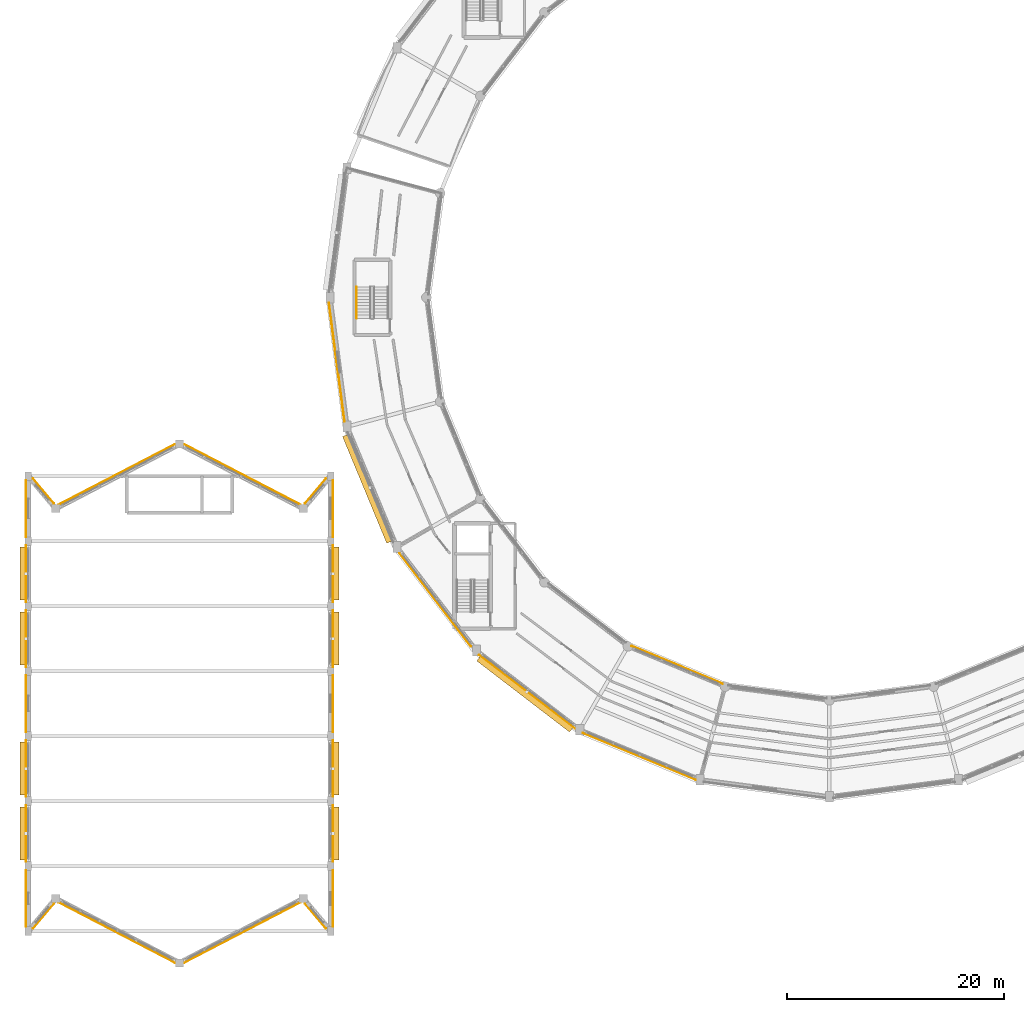
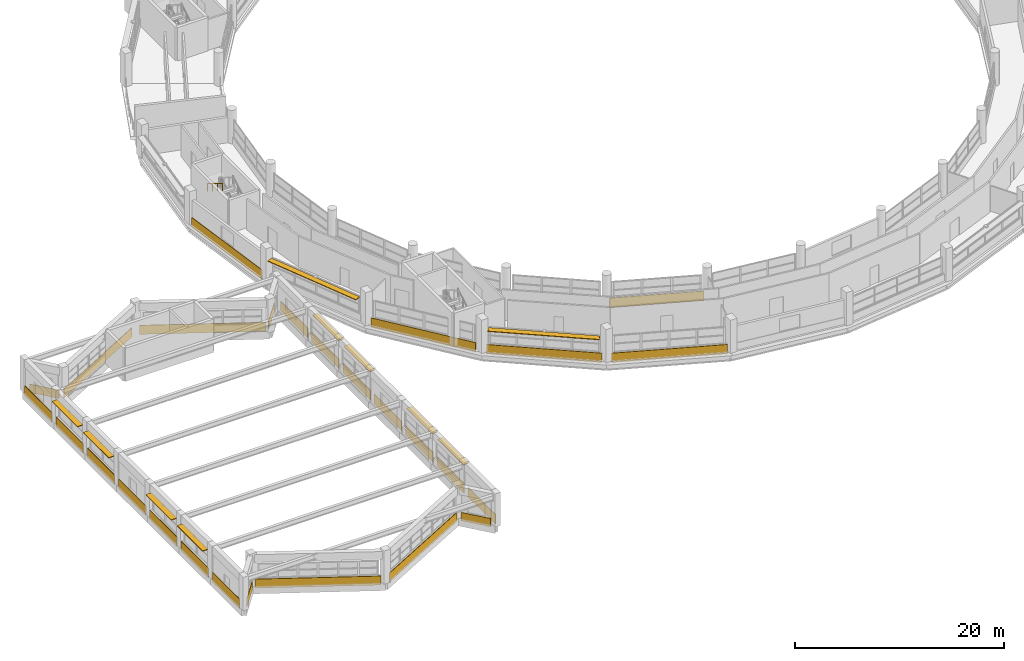
# One storey, part 101 of 108: 27 coverings, 10 shading devices, 1 railing.
"""IFC4 building model written with IfcOpenShell, lengths in metres."""

from ifc_helpers import new_model, si_unit, direction, frame, frame_2d, origin, origin_2d, place, context, subcontext, project, spatial, rectangle, circle, extrude, material, layer, layer_set, type_object, element, save


model = new_model("IFC4")

# Units and contexts
model_context = context("Model", 3, precision=1e-05, world=origin(), true_north=direction((0.0, 1.0)))
body_context = subcontext(model_context, "Body", "Model", "MODEL_VIEW")
ifc_project = project(units=[si_unit("LENGTHUNIT", "METRE"), si_unit("AREAUNIT", "SQUARE_METRE"), si_unit("VOLUMEUNIT", "CUBIC_METRE"), si_unit("PLANEANGLEUNIT", "RADIAN"), si_unit("MASSUNIT", "GRAM", prefix="KILO")], contexts=[model_context])

# Site, building, storey
site_placement = place(None, origin())
site = spatial("IfcSite", under=ifc_project, at=site_placement, CompositionType="ELEMENT")
building_placement = place(site_placement, origin())
building = spatial("IfcBuilding", under=site, at=building_placement, Name="Vespera Passage Community Centre", CompositionType="ELEMENT")
storey_placement = place(building_placement, frame((0.0, 0.0, 12.60009765625)))
storey = spatial("IfcBuildingStorey", under=building, at=storey_placement, Name="L03", CompositionType="ELEMENT", Elevation=12.60009765625)

# Coverings
ifc_material_1 = material(Name="Precast concrete f'c 40 MPa", Category="concrete")
ifc_layer = layer(ifc_material_1, 0.06005859375)
ifc_layer_set = layer_set([ifc_layer], Name="Precast concrete f'c 40 MPa")
covering_type = type_object("IfcCoveringType", Name="COV-CLAD-60E", PredefinedType="CLADDING", material=ifc_layer_set)
covering_1_placement = place(storey_placement, frame((33.23974609375, 54.021484375, -0.280029296875), z_axis=(0.0, 0.0, 1.0), x_axis=(-0.130513242145, 0.991446566197, 0.0)))
element("IfcCovering", 1, at=covering_1_placement, inside=storey, type_object=covering_type, Name="V4 L03 Outer White Sill Band O12", PredefinedType="CLADDING", context=body_context, shape_type="SweptSolid", body=[
    extrude(rectangle(XDim=11.075927734375, YDim=0.06005859375, at=frame_2d((5.5380859375, 0.0))), origin(), (0.0, 0.0, 1.0), 1.099853515625),
])
covering_2_placement = place(storey_placement, frame((44.90771484375, 33.267822265625, -0.280029296875), z_axis=(0.0, 0.0, 1.0), x_axis=(-0.608767750285, 0.793348489765, 0.0)))
element("IfcCovering", 2, at=covering_2_placement, inside=storey, type_object=covering_type, Name="V4 L03 Outer White Spandrel Band O14", PredefinedType="CLADDING", context=body_context, shape_type="SweptSolid", body=[
    extrude(rectangle(XDim=10.8525390625, YDim=0.06005859375, at=frame_2d((5.42626953125, 0.0))), origin(), (0.0, 0.0, 1.0), 1.099853515625),
])
covering_3_placement = place(storey_placement, frame((54.4912109375, 25.7138671875, -0.280029296875), z_axis=(0.0, 0.0, 1.0), x_axis=(-0.793342066679, 0.608776120785, 0.0)))
element("IfcCovering", 3, at=covering_3_placement, inside=storey, type_object=covering_type, Name="V4 L03 Outer White Spandrel Band O15", PredefinedType="CLADDING", context=body_context, shape_type="SweptSolid", body=[
    extrude(rectangle(XDim=11.13916015625, YDim=0.06005859375, at=frame_2d((5.569580078125, 0.0))), origin(), (0.0, 0.0, 1.0), 1.099853515625),
])
covering_4_placement = place(storey_placement, frame((65.6513671875, 20.95947265625, -0.280029296875), z_axis=(0.0, 0.0, 1.0), x_axis=(-0.923883530636, 0.382673779896, 0.0)))
element("IfcCovering", 4, at=covering_4_placement, inside=storey, type_object=covering_type, Name="V4 L03 Outer White Spandrel Band O16", PredefinedType="CLADDING", context=body_context, shape_type="SweptSolid", body=[
    extrude(rectangle(XDim=11.2724609375, YDim=0.06005859375, at=frame_2d((5.63623046875, 0.0))), origin(), (0.0, 0.0, 1.0), 1.099853515625),
])
covering_5_placement = place(storey_placement, frame((59.736083984375, 33.3125, -0.280029296875), z_axis=(0.0, 0.0, 1.0), x_axis=(0.92387477551, -0.38269491658, 0.0)))
element("IfcCovering", 5, at=covering_5_placement, inside=storey, type_object=covering_type, Name="V4 L03 Inner Court White Spandrel Band I16", PredefinedType="CLADDING", context=body_context, shape_type="SweptSolid", body=[
    extrude(rectangle(XDim=9.11181640625, YDim=0.06005859375, at=frame_2d((4.555908203125, 0.0))), origin(), (0.0, 0.0, 1.0), 1.099853515625),
])
for number, where, z_axis, x_axis, name in (
    (6, (3.840087890625, 7.375, -0.280029296875), (0.0, 0.0, 1.0), (0.0, 1.0, 0.0), "V1 L03 W1 White Sill Band"),
    (7, (32.159912109375, 12.625, -0.280029296875), (0.0, 0.0, 1.0), (0.0, -1.0, 0.0), "V1 L03 E1 White Sill Band"),
    (8, (3.840087890625, 13.375, -0.280029296875), (0.0, 0.0, 1.0), (0.0, 1.0, 0.0), "V1 L03 W2 White Spandrel Band"),
    (9, (32.159912109375, 18.625, -0.280029296875), (0.0, 0.0, 1.0), (0.0, -1.0, 0.0), "V1 L03 E2 White Spandrel Band"),
    (10, (3.840087890625, 19.375, -0.280029296875), (0.0, 0.0, 1.0), (0.0, 1.0, 0.0), "V1 L03 W3 White Spandrel Band"),
    (11, (32.159912109375, 24.625, -0.280029296875), (0.0, 0.0, 1.0), (0.0, -1.0, 0.0), "V1 L03 E3 White Spandrel Band"),
    (12, (3.840087890625, 25.375, -0.280029296875), (0.0, 0.0, 1.0), (0.0, 1.0, 0.0), "V1 L03 W4 White Sill Band"),
    (13, (32.159912109375, 30.625, -0.280029296875), (0.0, 0.0, 1.0), (0.0, -1.0, 0.0), "V1 L03 E4 White Sill Band"),
    (14, (3.840087890625, 31.375, -0.280029296875), (0.0, 0.0, 1.0), (0.0, 1.0, 0.0), "V1 L03 W5 White Spandrel Band"),
    (15, (32.159912109375, 36.625, -0.280029296875), (0.0, 0.0, 1.0), (0.0, -1.0, 0.0), "V1 L03 E5 White Spandrel Band"),
    (16, (3.840087890625, 37.375, -0.280029296875), (0.0, 0.0, 1.0), (0.0, 1.0, 0.0), "V1 L03 W6 White Spandrel Band"),
    (17, (32.159912109375, 42.625, -0.280029296875), (0.0, 0.0, 1.0), (0.0, -1.0, 0.0), "V1 L03 E6 White Spandrel Band"),
    (18, (3.840087890625, 43.375, -0.280029296875), (0.0, 0.0, 1.0), (0.0, 1.0, 0.0), "V1 L03 W7 White Sill Band"),
    (19, (32.159912109375, 48.625, -0.280029296875), (0.0, 0.0, 1.0), (0.0, -1.0, 0.0), "V1 L03 E7 White Sill Band"),
):
    element("IfcCovering", number, at=place(storey_placement, frame(where, z_axis=z_axis, x_axis=x_axis)), inside=storey, type_object=covering_type, Name=name, PredefinedType="CLADDING", context=body_context, shape_type="SweptSolid", body=[
        extrude(rectangle(XDim=5.25, YDim=0.06005859375, at=frame_2d((2.625, 0.0))), origin(), (0.0, 0.0, 1.0), 1.1298828125),
    ])
covering_6_placement = place(storey_placement, frame((4.479248046875, 48.784912109375, -0.260009765625), z_axis=(0.0, 0.0, 1.0), x_axis=(0.643756356561, -0.765230523037, 0.0)))
element("IfcCovering", 20, at=covering_6_placement, inside=storey, type_object=covering_type, Name="V1 L03 N1 Apse Sill Band", PredefinedType="CLADDING", context=body_context, shape_type="SweptSolid", body=[
    extrude(rectangle(XDim=3.0126953125, YDim=0.06005859375, at=frame_2d((1.50634765625, 0.0))), origin(), (0.0, 0.0, 1.0), 0.97998046875),
])
for number, where, z_axis, x_axis, name in (
    (21, (6.837890625, 46.353515625, -0.260009765625), (0.0, 0.0, 1.0), (0.887012674584, 0.46174507591, 0.0), "V1 L03 N2 Apse White Band"),
    (22, (18.4404296875, 51.934814453125, -0.260009765625), (0.0, 0.0, 1.0), (0.887012674584, -0.46174507591, 0.0), "V1 L03 N3 Apse White Band"),
):
    element("IfcCovering", number, at=place(storey_placement, frame(where, z_axis=z_axis, x_axis=x_axis)), inside=storey, type_object=covering_type, Name=name, PredefinedType="CLADDING", context=body_context, shape_type="SweptSolid", body=[
        extrude(rectangle(XDim=12.08740234375, YDim=0.06005859375, at=frame_2d((6.043701171875, 0.0))), origin(), (0.0, 0.0, 1.0), 1.059814453125),
    ])
for number, where, z_axis, x_axis, name in (
    (23, (29.581298828125, 46.4794921875, -0.260009765625), (0.0, 0.0, 1.0), (0.643756356561, 0.765230523037, 0.0), "V1 L03 N4 Apse Sill Band"),
    (24, (31.520751953125, 7.215087890625, -0.260009765625), (0.0, 0.0, 1.0), (-0.643756356561, 0.765230523037, 0.0), "V1 L03 S1 Apse Sill Band"),
):
    element("IfcCovering", number, at=place(storey_placement, frame(where, z_axis=z_axis, x_axis=x_axis)), inside=storey, type_object=covering_type, Name=name, PredefinedType="CLADDING", context=body_context, shape_type="SweptSolid", body=[
        extrude(rectangle(XDim=3.0126953125, YDim=0.06005859375, at=frame_2d((1.50634765625, 0.0))), origin(), (0.0, 0.0, 1.0), 0.97998046875),
    ])
for number, where, z_axis, x_axis, name in (
    (25, (29.162109375, 9.646484375, -0.260009765625), (0.0, 0.0, 1.0), (-0.887012674584, -0.46174507591, 0.0), "V1 L03 S2 Apse White Band"),
    (26, (17.5595703125, 4.065185546875, -0.260009765625), (0.0, 0.0, 1.0), (-0.887012674584, 0.46174507591, 0.0), "V1 L03 S3 Apse White Band"),
):
    element("IfcCovering", number, at=place(storey_placement, frame(where, z_axis=z_axis, x_axis=x_axis)), inside=storey, type_object=covering_type, Name=name, PredefinedType="CLADDING", context=body_context, shape_type="SweptSolid", body=[
        extrude(rectangle(XDim=12.08740234375, YDim=0.06005859375, at=frame_2d((6.043701171875, 0.0))), origin(), (0.0, 0.0, 1.0), 1.059814453125),
    ])
covering_7_placement = place(storey_placement, frame((6.418701171875, 9.5205078125, -0.260009765625), z_axis=(0.0, 0.0, 1.0), x_axis=(-0.643756356561, -0.765230523037, 0.0)))
element("IfcCovering", 27, at=covering_7_placement, inside=storey, type_object=covering_type, Name="V1 L03 S4 Apse Sill Band", PredefinedType="CLADDING", context=body_context, shape_type="SweptSolid", body=[
    extrude(rectangle(XDim=3.0126953125, YDim=0.06005859375, at=frame_2d((1.50634765625, 0.0))), origin(), (0.0, 0.0, 1.0), 0.97998046875),
])

# Railing
ifc_material_2 = material(Name="Steel ASTM A500 Grade C", Category="steel")
railing_type = type_object("IfcRailingType", Name="RL-HAND-900I", PredefinedType="HANDRAIL", material=ifc_material_2)
railing_placement = place(storey_placement, frame((34.35009765625, 66.47509765625, 2.127197265625)))
element("IfcRailing", 28, at=railing_placement, inside=storey, type_object=railing_type, Name="L03 ST04 stair handrail 2", PredefinedType="HANDRAIL", context=body_context, shape_type="SweptSolid", body=[
    extrude(circle(Radius=0.02392578125, at=origin_2d()), frame((0.0, 0.0, 0.8759765625), z_axis=(0.0, -0.853230340181, 0.521534262148), x_axis=(1.0, 0.0, 0.0)), (0.0, 0.0, 1.0), 3.39892578125),
    extrude(circle(Radius=0.02099609375, at=origin_2d()), origin(), (0.0, 0.0, 1.0), 0.851806640625),
    extrude(circle(Radius=0.02099609375, at=origin_2d()), frame((0.0, -0.966796875, 0.5908203125)), (0.0, 0.0, 1.0), 0.851806640625),
    extrude(circle(Radius=0.02099609375, at=origin_2d()), frame((0.0, -1.933349609375, 1.181884765625)), (0.0, 0.0, 1.0), 0.851806640625),
    extrude(circle(Radius=0.02099609375, at=origin_2d()), frame((0.0, -2.900146484375, 1.772705078125)), (0.0, 0.0, 1.0), 0.851806640625),
])

# Shading devices
ifc_material_3 = material(Name="Anodized aluminium 6063-T6", Category="aluminium")
shading_device_type = type_object("IfcShadingDeviceType", Name="SHD-EYEBROW", PredefinedType="JALOUSIE", material=ifc_material_3)
shading_device_1_placement = place(storey_placement, frame((35.366943359375, 47.8408203125, 2.70556640625), z_axis=(0.0, 0.0, 1.0), x_axis=(-0.382683432365, 0.923879532511, 0.0)))
element("IfcShadingDevice", 29, at=shading_device_1_placement, inside=storey, type_object=shading_device_type, Name="V4 L03 Outer Solar Eyebrow 13", PredefinedType="JALOUSIE", context=body_context, shape_type="SweptSolid", body=[
    extrude(rectangle(XDim=10.652099609375, YDim=0.60009765625, at=origin_2d()), origin(), (0.0, 0.0, 1.0), 0.080078125),
])
shading_device_2_placement = place(storey_placement, frame((49.908203125, 28.89013671875, 2.70556640625), z_axis=(0.0, 0.0, 1.0), x_axis=(-0.793342715279, 0.608775275544, 0.0)))
element("IfcShadingDevice", 30, at=shading_device_2_placement, inside=storey, type_object=shading_device_type, Name="V4 L03 Outer Solar Eyebrow 15", PredefinedType="JALOUSIE", context=body_context, shape_type="SweptSolid", body=[
    extrude(rectangle(XDim=10.789306640625, YDim=0.60009765625, at=origin_2d()), origin(), (0.0, 0.0, 1.0), 0.080078125),
])
for number, where, z_axis, x_axis, name in (
    (31, (3.570068359375, 16.0, 2.884765625), (0.0, 0.0, 1.0), (0.0, 1.0, 0.0), "V1 L03 W2 Solar Eyebrow"),
    (32, (32.429931640625, 16.0, 2.884765625), (0.0, 0.0, 1.0), (0.0, -1.0, 0.0), "V1 L03 E2 Solar Eyebrow"),
    (33, (3.570068359375, 22.0, 2.884765625), (0.0, 0.0, 1.0), (0.0, 1.0, 0.0), "V1 L03 W3 Solar Eyebrow"),
    (34, (32.429931640625, 22.0, 2.884765625), (0.0, 0.0, 1.0), (0.0, -1.0, 0.0), "V1 L03 E3 Solar Eyebrow"),
    (35, (3.570068359375, 34.0, 2.884765625), (0.0, 0.0, 1.0), (0.0, 1.0, 0.0), "V1 L03 W5 Solar Eyebrow"),
    (36, (32.429931640625, 34.0, 2.884765625), (0.0, 0.0, 1.0), (0.0, -1.0, 0.0), "V1 L03 E5 Solar Eyebrow"),
    (37, (3.570068359375, 40.0, 2.884765625), (0.0, 0.0, 1.0), (0.0, 1.0, 0.0), "V1 L03 W6 Solar Eyebrow"),
    (38, (32.429931640625, 40.0, 2.884765625), (0.0, 0.0, 1.0), (0.0, -1.0, 0.0), "V1 L03 E6 Solar Eyebrow"),
):
    element("IfcShadingDevice", number, at=place(storey_placement, frame(where, z_axis=z_axis, x_axis=x_axis)), inside=storey, type_object=shading_device_type, Name=name, PredefinedType="JALOUSIE", context=body_context, shape_type="SweptSolid", body=[
        extrude(rectangle(XDim=4.89990234375, YDim=0.60009765625, at=origin_2d()), origin(), (0.0, 0.0, 1.0), 0.080078125),
    ])

save(model, "model.ifc")
